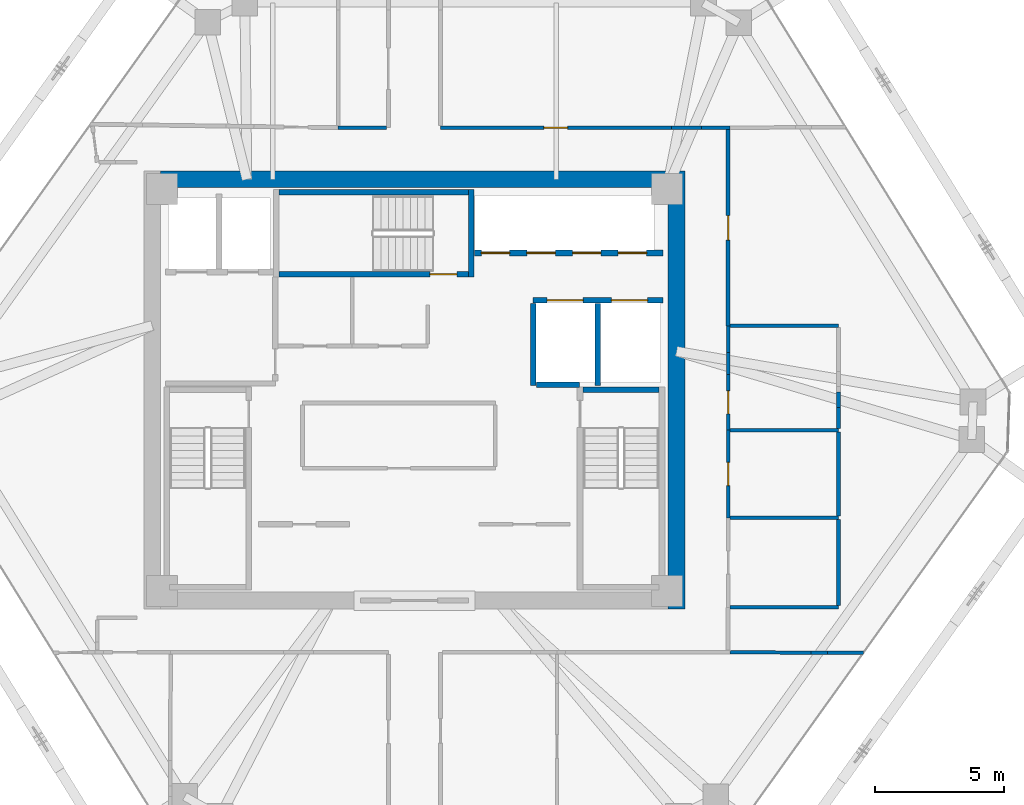
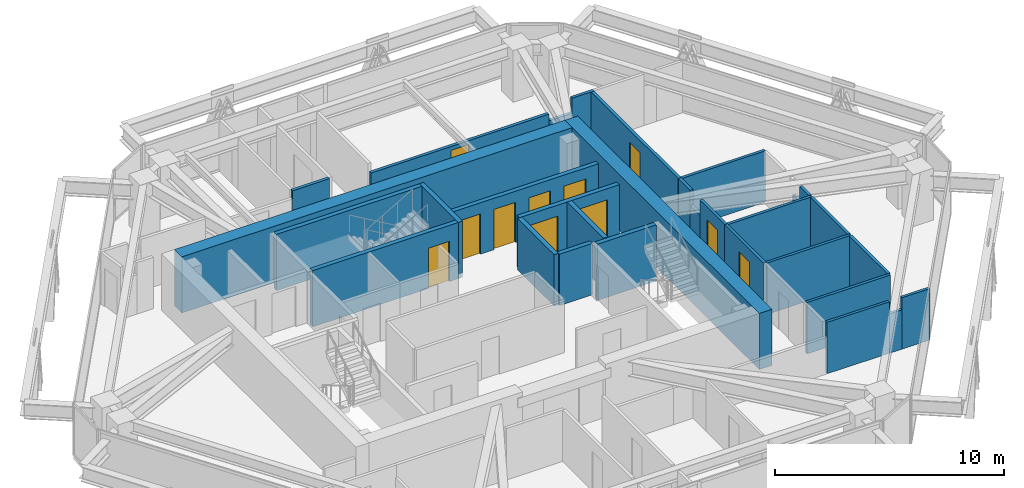
# One storey, part 12 of 14: 31 walls, 11 doors, 11 openings.
"""IFC4 building model written with IfcOpenShell, lengths in metres."""

from ifc_helpers import new_model, si_unit, direction, frame, frame_2d, origin, place, context, subcontext, project, spatial, rectangle, extrude, source, transform, mapped, material, layer, layer_set, type_object, type_shapes, element, fill, save


model = new_model("IFC4")

# Units and contexts
model_context = context("Model", 3, precision=1e-05, world=origin(), true_north=direction((0.0, 1.0)))
body_context = subcontext(model_context, "Body", "Model", "MODEL_VIEW")
ifc_project = project(units=[si_unit("LENGTHUNIT", "METRE"), si_unit("AREAUNIT", "SQUARE_METRE"), si_unit("VOLUMEUNIT", "CUBIC_METRE"), si_unit("PLANEANGLEUNIT", "RADIAN"), si_unit("MASSUNIT", "GRAM", prefix="KILO")], contexts=[model_context])

# Site, building, storey
site_placement = place(None, origin())
site = spatial("IfcSite", under=ifc_project, at=site_placement, CompositionType="ELEMENT")
building_placement = place(site_placement, origin())
building = spatial("IfcBuilding", under=site, at=building_placement, Name="Durnholm Broadcast Tower", CompositionType="ELEMENT")
storey_placement = place(building_placement, frame((0.0, 0.0, 200.199951171875)))
storey = spatial("IfcBuildingStorey", under=building, at=storey_placement, Name="L55", CompositionType="ELEMENT", Elevation=200.199951171875)

# Walls
ifc_material_1 = material(Name="Concrete C70/85", Category="concrete")
ifc_layer_1 = layer(ifc_material_1, 0.64990234375)
ifc_layer_set_1 = layer_set([ifc_layer_1], Name="Concrete C70/85")
wall_type_1 = type_object("IfcWallType", Name="WALL-CW-650", PredefinedType="SHEAR", material=ifc_layer_set_1)
wall_1_placement = place(storey_placement, frame((10.175048828125, -8.5, 0.0), z_axis=(0.0, 0.0, 1.0), x_axis=(0.0, 1.0, 0.0)))
element("IfcWall", 1, at=wall_1_placement, inside=storey, type_object=wall_type_1, Name="L55 central core shear wall CW-EAST", PredefinedType="SHEAR", context=body_context, shape_type="SweptSolid", body=[
    extrude(rectangle(XDim=17.0, YDim=0.64990234375, at=frame_2d((8.5, 0.0))), origin(), (0.0, 0.0, 1.0), 3.0),
])
wall_2_placement = place(storey_placement, frame((-9.85009765625, 8.175048828125, 0.0), z_axis=(0.0, 0.0, 1.0), x_axis=(1.0, 0.0, 0.0)))
element("IfcWall", 2, at=wall_2_placement, inside=storey, type_object=wall_type_1, Name="L55 central core shear wall CW-N", PredefinedType="SHEAR", context=body_context, shape_type="SweptSolid", body=[
    extrude(rectangle(XDim=19.7001953125, YDim=0.64990234375, at=frame_2d((9.85009765625, 0.0))), origin(), (0.0, 0.0, 1.0), 3.0),
])
ifc_material_2 = material(Name="Gypsum Metal Stud Partition", Category="concrete")
ifc_layer_2 = layer(ifc_material_2, 0.135009765625)
ifc_layer_set_2 = layer_set([ifc_layer_2], Name="Gypsum Metal Stud Partition")
wall_type_2 = type_object("IfcWallType", Name="WALL-PART-135", PredefinedType="PARTITIONING", material=ifc_layer_set_2)
wall_3_placement = place(storey_placement, frame((12.260009765625, -10.180419921875, 0.0), z_axis=(0.0, 0.0, 1.0), x_axis=(0.999990120522, -0.004445093728, 0.0)))
element("IfcWall", 3, at=wall_3_placement, inside=storey, type_object=wall_type_2, Name="L55 room dividing partition 15.18", PredefinedType="PARTITIONING", context=body_context, shape_type="SweptSolid", body=[
    extrude(rectangle(XDim=3.130615234375, YDim=0.135009765625, at=frame_2d((1.5654296875, 0.0))), origin(), (0.0, 0.0, 1.0), 2.7451171875),
])
wall_4_placement = place(storey_placement, frame((16.034423828125, -10.197021484375, 0.0), z_axis=(0.0, 0.0, 1.0), x_axis=(0.999989640625, -0.004551773574, 0.0)))
element("IfcWall", 4, at=wall_4_placement, inside=storey, type_object=wall_type_2, Name="L55 room dividing partition 15.18", PredefinedType="PARTITIONING", context=body_context, shape_type="SweptSolid", body=[
    extrude(rectangle(XDim=1.39453125, YDim=0.135009765625, at=frame_2d((0.697265625, 0.0))), origin(), (0.0, 0.0, 1.0), 2.7451171875),
])
wall_5_placement = place(storey_placement, frame((15.390625, -10.1943359375, 0.0), z_axis=(0.0, 0.0, 1.0), x_axis=(0.999991299796, -0.00417137061, 0.0)))
element("IfcWall", 5, at=wall_5_placement, inside=storey, type_object=wall_type_2, Name="L55 room dividing partition 15.18", PredefinedType="PARTITIONING", context=body_context, shape_type="SweptSolid", body=[
    extrude(rectangle(XDim=0.643798828125, YDim=0.135009765625, at=frame_2d((0.32177734375, 0.0))), origin(), (0.0, 0.0, 1.0), 2.098876953125),
])
ifc_material_3 = material(Name="Acoustic Gypsum Stud Partition", Category="concrete")
ifc_layer_3 = layer(ifc_material_3, 0.14990234375)
ifc_layer_set_3 = layer_set([ifc_layer_3], Name="Acoustic Gypsum Stud Partition")
wall_type_3 = type_object("IfcWallType", Name="WALL-PART-150", PredefinedType="PARTITIONING", material=ifc_layer_set_3)
wall_6_placement = place(storey_placement, frame((-1.089111328125, 10.179931640625, 0.0), z_axis=(0.0, 0.0, 1.0), x_axis=(-1.0, 0.0, 0.0)))
element("IfcWall", 6, at=wall_6_placement, inside=storey, type_object=wall_type_3, Name="L55 Investor Briefing Auditorium corridor partition", PredefinedType="PARTITIONING", context=body_context, shape_type="SweptSolid", body=[
    extrude(rectangle(XDim=1.870849609375, YDim=0.14990234375, at=frame_2d((0.935546875, 0.0))), origin(), (0.0, 0.0, 1.0), 2.7451171875),
])
wall_7_placement = place(storey_placement, frame((12.260009765625, 10.179931640625, 0.0), z_axis=(0.0, 0.0, 1.0), x_axis=(-1.0, 0.0, 0.0)))
element("IfcWall", 7, at=wall_7_placement, inside=storey, type_object=wall_type_3, Name="L55 Treasury Dining Room corridor partition", PredefinedType="PARTITIONING", context=body_context, shape_type="SweptSolid", body=[
    extrude(rectangle(XDim=1.1142578125, YDim=0.14990234375, at=frame_2d((0.55712890625, 0.0))), origin(), (0.0, 0.0, 1.0), 2.7451171875),
])

# Wall, opening, door
wall_8_placement = place(storey_placement, frame((9.971435546875, 10.179931640625, 0.0), z_axis=(0.0, 0.0, 1.0), x_axis=(-1.0, 0.0, 0.0)))
wall_8 = element("IfcWall", 8, at=wall_8_placement, inside=storey, type_object=wall_type_3, Name="L55 Treasury Dining Room corridor partition", PredefinedType="PARTITIONING", context=body_context, shape_type="SweptSolid", body=[
    extrude(rectangle(XDim=8.96142578125, YDim=0.14990234375, at=frame_2d((4.480712890625, 0.0))), origin(), (0.0, 0.0, 1.0), 2.308349609375),
])
opening_1_placement = place(wall_8_placement, frame((4.020751953125, 0.0, 0.0)))
opening_1 = element("IfcOpeningElement", 9, at=opening_1_placement, cuts=wall_8, Name="Opening DR-92L", PredefinedType="OPENING", context=body_context, shape_type="SweptSolid", body=[
    extrude(rectangle(XDim=0.919921875, YDim=2.10009765625, at=frame_2d((0.4599609375, 1.050048828125))), frame((0.0, 0.0849609375, 0.0), z_axis=(0.0, -1.0, 0.0), x_axis=(1.0, 0.0, 0.0)), (0.0, 0.0, 1.0), 0.169921875),
])
ifc_material_4 = material(Name="Oak Veneer Office Door", Category="wood")
ifc_layer_4 = layer(ifc_material_4, 0.050048828125)
ifc_layer_set_4 = layer_set([ifc_layer_4], Name="Oak Veneer Office Door")
door_type_1 = type_object("IfcDoorType", Name="DOOR-RM-920L", OperationType="NOTDEFINED", PredefinedType="DOOR", material=ifc_layer_set_4)
shared_shape_1 = source(origin(), body_context, "Body", "SweptSolid", [
    extrude(rectangle(XDim=0.919921875, YDim=2.10009765625, at=frame_2d((0.4599609375, 1.050048828125))), frame((0.0, 0.02490234375, 0.0), z_axis=(0.0, -1.0, 0.0), x_axis=(1.0, 0.0, 0.0)), (0.0, 0.0, 1.0), 0.050048828125),
])
type_shapes(door_type_1, [shared_shape_1])
door_1_placement = place(opening_1_placement, origin())
door_1 = element("IfcDoor", 10, at=door_1_placement, inside=storey, type_object=door_type_1, Name="L55 Treasury Dining Room entrance door", OperationType="SINGLE_SWING_LEFT", OverallHeight=2.10009765625, OverallWidth=0.919921875, PredefinedType="DOOR", context=body_context, shape_type="MappedRepresentation", body=[
    mapped(shared_shape_1, transform((0.0, 0.0, 0.0), x_axis=(1.0, 0.0, 0.0), y_axis=(0.0, 1.0, 0.0), z_axis=(0.0, 0.0, 1.0), scale=1.0)),
])
fill(opening_1, door_1)

# Wall
wall_9_placement = place(storey_placement, frame((11.145751953125, 10.179931640625, 0.0), z_axis=(0.0, 0.0, 1.0), x_axis=(-1.0, 0.0, 0.0)))
element("IfcWall", 11, at=wall_9_placement, inside=storey, type_object=wall_type_3, Name="L55 Treasury Dining Room corridor partition", PredefinedType="PARTITIONING", context=body_context, shape_type="SweptSolid", body=[
    extrude(rectangle(XDim=1.17431640625, YDim=0.14990234375, at=frame_2d((0.587158203125, 0.0))), origin(), (0.0, 0.0, 1.0), 1.94189453125),
])

# Wall, opening, door
wall_10_placement = place(storey_placement, frame((12.179931640625, 2.489990234375, 0.0), z_axis=(0.0, 0.0, 1.0), x_axis=(0.0, 1.0, 0.0)))
wall_10 = element("IfcWall", 12, at=wall_10_placement, inside=storey, type_object=wall_type_3, Name="L55 Catering Kitchen corridor partition", PredefinedType="PARTITIONING", context=body_context, shape_type="SweptSolid", body=[
    extrude(rectangle(XDim=7.611083984375, YDim=0.14990234375, at=frame_2d((3.8056640625, 0.0))), origin(), (0.0, 0.0, 1.0), 2.7451171875),
])
opening_2_placement = place(wall_10_placement, frame((3.33056640625, 0.0, 0.0)))
opening_2 = element("IfcOpeningElement", 13, at=opening_2_placement, cuts=wall_10, Name="Opening DR-95L", PredefinedType="OPENING", context=body_context, shape_type="SweptSolid", body=[
    extrude(rectangle(XDim=0.949951171875, YDim=2.10009765625, at=frame_2d((0.47509765625, 1.050048828125))), frame((0.0, 0.0849609375, 0.0), z_axis=(0.0, -1.0, 0.0), x_axis=(1.0, 0.0, 0.0)), (0.0, 0.0, 1.0), 0.169921875),
])
ifc_material_5 = material(Name="Acoustic Oak Veneer Timber Door", Category="wood")
ifc_layer_5 = layer(ifc_material_5, 0.050048828125)
ifc_layer_set_5 = layer_set([ifc_layer_5], Name="Acoustic Oak Veneer Timber Door")
door_type_2 = type_object("IfcDoorType", Name="DOOR-RM-950L", OperationType="NOTDEFINED", PredefinedType="DOOR", material=ifc_layer_set_5)
shared_shape_2 = source(origin(), body_context, "Body", "SweptSolid", [
    extrude(rectangle(XDim=0.949951171875, YDim=2.10009765625, at=frame_2d((0.47509765625, 1.050048828125))), frame((0.0, 0.02490234375, 0.0), z_axis=(0.0, -1.0, 0.0), x_axis=(1.0, 0.0, 0.0)), (0.0, 0.0, 1.0), 0.050048828125),
])
type_shapes(door_type_2, [shared_shape_2])
door_2_placement = place(opening_2_placement, origin())
door_2 = element("IfcDoor", 14, at=door_2_placement, inside=storey, type_object=door_type_2, Name="L55 Catering Kitchen entrance door", OperationType="SINGLE_SWING_LEFT", OverallHeight=2.10009765625, OverallWidth=0.949951171875, PredefinedType="DOOR", context=body_context, shape_type="MappedRepresentation", body=[
    mapped(shared_shape_2, transform((0.0, 0.0, 0.0), x_axis=(1.0, 0.0, 0.0), y_axis=(0.0, 1.0, 0.0), z_axis=(0.0, 0.0, 1.0), scale=1.0)),
])
fill(opening_2, door_2)

# Wall, openings, doors
ifc_material_6 = material(Name="Concrete Blockwork C30/37", Category="masonry")
ifc_layer_6 = layer(ifc_material_6, 0.219970703125)
ifc_layer_set_6 = layer_set([ifc_layer_6], Name="Concrete Blockwork C30/37")
wall_type_4 = type_object("IfcWallType", Name="WALL-SHAFT-220", PredefinedType="SOLIDWALL", material=ifc_layer_set_6)
wall_11_placement = place(storey_placement, frame((4.60009765625, 3.47998046875, 0.0), z_axis=(0.0, 0.0, 1.0), x_axis=(1.0, 0.0, 0.0)))
wall_11 = element("IfcWall", 15, at=wall_11_placement, inside=storey, type_object=wall_type_4, Name="L55 freight service lifts north front wall", PredefinedType="SOLIDWALL", context=body_context, shape_type="SweptSolid", body=[
    extrude(rectangle(XDim=5.0498046875, YDim=0.219970703125, at=frame_2d((2.52490234375, 0.0))), origin(), (0.0, 0.0, 1.0), 2.7451171875),
])
opening_3_placement = place(wall_11_placement, frame((0.550048828125, 0.0, 0.0)))
opening_3 = element("IfcOpeningElement", 16, at=opening_3_placement, cuts=wall_11, Name="Opening LD-SVL-2", PredefinedType="OPENING", context=body_context, shape_type="SweptSolid", body=[
    extrude(rectangle(XDim=1.39990234375, YDim=2.14990234375, at=frame_2d((0.699951171875, 1.074951171875))), frame((0.0, 0.1201171875, 0.0), z_axis=(0.0, -1.0, 0.0), x_axis=(1.0, 0.0, 0.0)), (0.0, 0.0, 1.0), 0.239990234375),
])
opening_4_placement = place(wall_11_placement, frame((3.050048828125, 0.0, 0.0)))
opening_4 = element("IfcOpeningElement", 17, at=opening_4_placement, cuts=wall_11, Name="Opening LD-SVL-1", PredefinedType="OPENING", context=body_context, shape_type="SweptSolid", body=[
    extrude(rectangle(XDim=1.39990234375, YDim=2.14990234375, at=frame_2d((0.699951171875, 1.074951171875))), frame((0.0, 0.1201171875, 0.0), z_axis=(0.0, -1.0, 0.0), x_axis=(1.0, 0.0, 0.0)), (0.0, 0.0, 1.0), 0.239990234375),
])
ifc_material_7 = material(Name="Freight Elevator Bi-Parting Sliding Landing Door", Category="steel")
ifc_layer_7 = layer(ifc_material_7, 0.050048828125)
ifc_layer_set_7 = layer_set([ifc_layer_7], Name="Freight Elevator Bi-Parting Sliding Landing Door")
door_type_3 = type_object("IfcDoorType", Name="DOOR-LIFT-SVL", OperationType="DOUBLE_DOOR_SLIDING", PredefinedType="DOOR", material=ifc_layer_set_7)
shared_shape_3 = source(origin(), body_context, "Body", "SweptSolid", [
    extrude(rectangle(XDim=1.39990234375, YDim=2.14990234375, at=frame_2d((0.699951171875, 1.074951171875))), frame((0.0, 0.02490234375, 0.0), z_axis=(0.0, -1.0, 0.0), x_axis=(1.0, 0.0, 0.0)), (0.0, 0.0, 1.0), 0.050048828125),
])
type_shapes(door_type_3, [shared_shape_3])
door_3_placement = place(opening_3_placement, origin())
door_3 = element("IfcDoor", 18, at=door_3_placement, inside=storey, type_object=door_type_3, Name="L55 freight service elevator SVL-2 sliding landing door", OperationType="DOUBLE_DOOR_SLIDING", OverallHeight=2.14990234375, OverallWidth=1.39990234375, PredefinedType="DOOR", context=body_context, shape_type="MappedRepresentation", body=[
    mapped(shared_shape_3, transform((0.0, 0.0, 0.0), x_axis=(1.0, 0.0, 0.0), y_axis=(0.0, 1.0, 0.0), z_axis=(0.0, 0.0, 1.0), scale=1.0)),
])
fill(opening_3, door_3)
door_4_placement = place(opening_4_placement, origin())
door_4 = element("IfcDoor", 19, at=door_4_placement, inside=storey, type_object=door_type_3, Name="L55 freight service elevator SVL-1 sliding landing door", OperationType="DOUBLE_DOOR_SLIDING", OverallHeight=2.14990234375, OverallWidth=1.39990234375, PredefinedType="DOOR", context=body_context, shape_type="MappedRepresentation", body=[
    mapped(shared_shape_3, transform((0.0, 0.0, 0.0), x_axis=(1.0, 0.0, 0.0), y_axis=(0.0, 1.0, 0.0), z_axis=(0.0, 0.0, 1.0), scale=1.0)),
])
fill(opening_4, door_4)

# Walls
for number, where, z_axis, x_axis, name in (
    (20, (4.6201171875, 0.179931640625, 0.0), (0.0, 0.0, 1.0), (0.0, 1.0, 0.0), "L55 freight service lift SVL-2 west wall"),
    (21, (7.1201171875, 0.179931640625, 0.0), (0.0, 0.0, 1.0), (0.0, 1.0, 0.0), "L55 freight service lifts divider wall"),
):
    element("IfcWall", number, at=place(storey_placement, frame(where, z_axis=z_axis, x_axis=x_axis)), inside=storey, type_object=wall_type_4, Name=name, PredefinedType="SOLIDWALL", context=body_context, shape_type="SweptSolid", body=[
        extrude(rectangle(XDim=3.18603515625, YDim=0.219970703125, at=frame_2d((1.593017578125, 0.0))), origin(), (0.0, 0.0, 1.0), 2.7451171875),
    ])
wall_12_placement = place(storey_placement, frame((4.73388671875, 0.199951171875, 0.0), z_axis=(0.0, 0.0, 1.0), x_axis=(1.0, 0.0, 0.0)))
element("IfcWall", 22, at=wall_12_placement, inside=storey, type_object=wall_type_4, Name="L55 freight service lift SVL-2 south wall", PredefinedType="SOLIDWALL", context=body_context, shape_type="SweptSolid", body=[
    extrude(rectangle(XDim=1.666015625, YDim=0.219970703125, at=frame_2d((0.8330078125, 0.0))), origin(), (0.0, 0.0, 1.0), 2.7451171875),
])

# Wall, openings, doors
wall_13_placement = place(storey_placement, frame((2.324951171875, 5.320068359375, 0.0), z_axis=(0.0, 0.0, 1.0), x_axis=(1.0, 0.0, 0.0)))
wall_13 = element("IfcWall", 23, at=wall_13_placement, inside=storey, type_object=wall_type_4, Name="L55 high-rise bank P3 south front wall", PredefinedType="SOLIDWALL", context=body_context, shape_type="SweptSolid", body=[
    extrude(rectangle(XDim=7.324951171875, YDim=0.219970703125, at=frame_2d((3.66259765625, 0.0))), origin(), (0.0, 0.0, 1.0), 2.7451171875),
])
opening_5_placement = place(wall_13_placement, frame((0.27490234375, 0.0, 0.0)))
opening_5 = element("IfcOpeningElement", 24, at=opening_5_placement, cuts=wall_13, Name="Opening LD-LP3-1", PredefinedType="OPENING", context=body_context, shape_type="SweptSolid", body=[
    extrude(rectangle(XDim=1.10009765625, YDim=2.14990234375, at=frame_2d((0.550048828125, 1.074951171875))), frame((0.0, 0.1201171875, 0.0), z_axis=(0.0, -1.0, 0.0), x_axis=(1.0, 0.0, 0.0)), (0.0, 0.0, 1.0), 0.239990234375),
])
opening_6_placement = place(wall_13_placement, frame((2.044921875, 0.0, 0.0)))
opening_6 = element("IfcOpeningElement", 25, at=opening_6_placement, cuts=wall_13, Name="Opening LD-LP3-2", PredefinedType="OPENING", context=body_context, shape_type="SweptSolid", body=[
    extrude(rectangle(XDim=1.10009765625, YDim=2.14990234375, at=frame_2d((0.550048828125, 1.074951171875))), frame((0.0, 0.1201171875, 0.0), z_axis=(0.0, -1.0, 0.0), x_axis=(1.0, 0.0, 0.0)), (0.0, 0.0, 1.0), 0.239990234375),
])
opening_7_placement = place(wall_13_placement, frame((3.81494140625, 0.0, 0.0)))
opening_7 = element("IfcOpeningElement", 26, at=opening_7_placement, cuts=wall_13, Name="Opening LD-LP3-3", PredefinedType="OPENING", context=body_context, shape_type="SweptSolid", body=[
    extrude(rectangle(XDim=1.10009765625, YDim=2.14990234375, at=frame_2d((0.550048828125, 1.074951171875))), frame((0.0, 0.1201171875, 0.0), z_axis=(0.0, -1.0, 0.0), x_axis=(1.0, 0.0, 0.0)), (0.0, 0.0, 1.0), 0.239990234375),
])
opening_8_placement = place(wall_13_placement, frame((5.5849609375, 0.0, 0.0)))
opening_8 = element("IfcOpeningElement", 27, at=opening_8_placement, cuts=wall_13, Name="Opening LD-LP3-4", PredefinedType="OPENING", context=body_context, shape_type="SweptSolid", body=[
    extrude(rectangle(XDim=1.10009765625, YDim=2.14990234375, at=frame_2d((0.550048828125, 1.074951171875))), frame((0.0, 0.1201171875, 0.0), z_axis=(0.0, -1.0, 0.0), x_axis=(1.0, 0.0, 0.0)), (0.0, 0.0, 1.0), 0.239990234375),
])
ifc_material_8 = material(Name="Stainless Steel Sliding Elevator Landing Door", Category="steel")
ifc_layer_8 = layer(ifc_material_8, 0.050048828125)
ifc_layer_set_8 = layer_set([ifc_layer_8], Name="Stainless Steel Sliding Elevator Landing Door")
door_type_4 = type_object("IfcDoorType", Name="DOOR-LIFT-PAX", OperationType="DOUBLE_DOOR_SLIDING", PredefinedType="DOOR", material=ifc_layer_set_8)
shared_shape_4 = source(origin(), body_context, "Body", "SweptSolid", [
    extrude(rectangle(XDim=1.10009765625, YDim=2.14990234375, at=frame_2d((0.550048828125, 1.074951171875))), frame((0.0, 0.02490234375, 0.0), z_axis=(0.0, -1.0, 0.0), x_axis=(1.0, 0.0, 0.0)), (0.0, 0.0, 1.0), 0.050048828125),
])
type_shapes(door_type_4, [shared_shape_4])
door_5_placement = place(opening_5_placement, origin())
door_5 = element("IfcDoor", 28, at=door_5_placement, inside=storey, type_object=door_type_4, Name="L55 high-rise elevator LP3-1 sliding landing door", OperationType="DOUBLE_DOOR_SLIDING", OverallHeight=2.14990234375, OverallWidth=1.10009765625, PredefinedType="DOOR", context=body_context, shape_type="MappedRepresentation", body=[
    mapped(shared_shape_4, transform((0.0, 0.0, 0.0), x_axis=(1.0, 0.0, 0.0), y_axis=(0.0, 1.0, 0.0), z_axis=(0.0, 0.0, 1.0), scale=1.0)),
])
fill(opening_5, door_5)
door_6_placement = place(opening_6_placement, origin())
door_6 = element("IfcDoor", 29, at=door_6_placement, inside=storey, type_object=door_type_4, Name="L55 high-rise elevator LP3-2 sliding landing door", OperationType="DOUBLE_DOOR_SLIDING", OverallHeight=2.14990234375, OverallWidth=1.10009765625, PredefinedType="DOOR", context=body_context, shape_type="MappedRepresentation", body=[
    mapped(shared_shape_4, transform((0.0, 0.0, 0.0), x_axis=(1.0, 0.0, 0.0), y_axis=(0.0, 1.0, 0.0), z_axis=(0.0, 0.0, 1.0), scale=1.0)),
])
fill(opening_6, door_6)
door_7_placement = place(opening_7_placement, origin())
door_7 = element("IfcDoor", 30, at=door_7_placement, inside=storey, type_object=door_type_4, Name="L55 high-rise elevator LP3-3 sliding landing door", OperationType="DOUBLE_DOOR_SLIDING", OverallHeight=2.14990234375, OverallWidth=1.10009765625, PredefinedType="DOOR", context=body_context, shape_type="MappedRepresentation", body=[
    mapped(shared_shape_4, transform((0.0, 0.0, 0.0), x_axis=(1.0, 0.0, 0.0), y_axis=(0.0, 1.0, 0.0), z_axis=(0.0, 0.0, 1.0), scale=1.0)),
])
fill(opening_7, door_7)
door_8_placement = place(opening_8_placement, origin())
door_8 = element("IfcDoor", 31, at=door_8_placement, inside=storey, type_object=door_type_4, Name="L55 high-rise elevator LP3-4 sliding landing door", OperationType="DOUBLE_DOOR_SLIDING", OverallHeight=2.14990234375, OverallWidth=1.10009765625, PredefinedType="DOOR", context=body_context, shape_type="MappedRepresentation", body=[
    mapped(shared_shape_4, transform((0.0, 0.0, 0.0), x_axis=(1.0, 0.0, 0.0), y_axis=(0.0, 1.0, 0.0), z_axis=(0.0, 0.0, 1.0), scale=1.0)),
])
fill(opening_8, door_8)

# Walls
ifc_material_9 = material(Name="Concrete C50/60", Category="concrete")
ifc_layer_9 = layer(ifc_material_9, 0.219970703125)
ifc_layer_set_9 = layer_set([ifc_layer_9], Name="Concrete C50/60")
wall_type_5 = type_object("IfcWallType", Name="WALL-SW-220", PredefinedType="SHEAR", material=ifc_layer_set_9)
wall_14_placement = place(storey_placement, frame((9.5, 0.010009765625, -0.239990234375), z_axis=(0.0, 0.0, 1.0), x_axis=(-1.0, 0.0, 0.0)))
element("IfcWall", 32, at=wall_14_placement, inside=storey, type_object=wall_type_5, Name="L55 stair ST-2 structural shaft wall N", PredefinedType="SHEAR", context=body_context, shape_type="SweptSolid", body=[
    extrude(rectangle(XDim=2.9599609375, YDim=0.219970703125, at=frame_2d((1.47998046875, 0.0))), origin(), (0.0, 0.0, 1.0), 3.0),
])
wall_15_placement = place(storey_placement, frame((2.2099609375, 4.3798828125, -0.239990234375), z_axis=(0.0, 0.0, 1.0), x_axis=(0.0, 1.0, 0.0)))
element("IfcWall", 33, at=wall_15_placement, inside=storey, type_object=wall_type_5, Name="L55 stair ST-3 structural shaft wall E", PredefinedType="SHEAR", context=body_context, shape_type="SweptSolid", body=[
    extrude(rectangle(XDim=3.400146484375, YDim=0.219970703125, at=frame_2d((1.7001953125, 0.0))), origin(), (0.0, 0.0, 1.0), 3.0),
])

# Wall, opening, door
wall_16_placement = place(storey_placement, frame((-5.25, 4.489990234375, -0.239990234375), z_axis=(0.0, 0.0, 1.0), x_axis=(1.0, 0.0, 0.0)))
wall_16 = element("IfcWall", 34, at=wall_16_placement, inside=storey, type_object=wall_type_5, Name="L55 stair ST-3 structural shaft wall S", PredefinedType="SHEAR", context=body_context, shape_type="SweptSolid", body=[
    extrude(rectangle(XDim=7.35009765625, YDim=0.219970703125, at=frame_2d((3.675048828125, 0.0))), origin(), (0.0, 0.0, 1.0), 3.0),
])
opening_9_placement = place(wall_16_placement, frame((5.85009765625, 0.0, 0.0)))
opening_9 = element("IfcOpeningElement", 35, at=opening_9_placement, cuts=wall_16, Name="Opening DS-90L", PredefinedType="OPENING", context=body_context, shape_type="SweptSolid", body=[
    extrude(rectangle(XDim=1.050048828125, YDim=2.14990234375, at=frame_2d((0.52490234375, 1.074951171875))), frame((0.0, 0.1201171875, 0.0), z_axis=(0.0, -1.0, 0.0), x_axis=(1.0, 0.0, 0.0)), (0.0, 0.0, 1.0), 0.239990234375),
])
ifc_material_10 = material(Name="Fire-Rated Steel Door", Category="steel")
ifc_layer_10 = layer(ifc_material_10, 0.050048828125)
ifc_layer_set_10 = layer_set([ifc_layer_10], Name="Fire-Rated Steel Door")
door_type_5 = type_object("IfcDoorType", Name="DOOR-ST-FD90-L", OperationType="NOTDEFINED", PredefinedType="DOOR", material=ifc_layer_set_10)
shared_shape_5 = source(origin(), body_context, "Body", "SweptSolid", [
    extrude(rectangle(XDim=1.050048828125, YDim=2.14990234375, at=frame_2d((0.52490234375, 1.074951171875))), frame((0.0, 0.02490234375, 0.0), z_axis=(0.0, -1.0, 0.0), x_axis=(1.0, 0.0, 0.0)), (0.0, 0.0, 1.0), 0.050048828125),
])
type_shapes(door_type_5, [shared_shape_5])
door_9_placement = place(opening_9_placement, origin())
door_9 = element("IfcDoor", 36, at=door_9_placement, inside=storey, type_object=door_type_5, Name="L55 exit stair ST-3 fire door", OperationType="SINGLE_SWING_LEFT", OverallHeight=2.14990234375, OverallWidth=1.050048828125, PredefinedType="DOOR", context=body_context, shape_type="MappedRepresentation", body=[
    mapped(shared_shape_5, transform((0.0, 0.0, 0.0), x_axis=(1.0, 0.0, 0.0), y_axis=(0.0, 1.0, 0.0), z_axis=(0.0, 0.0, 1.0), scale=1.0)),
])
fill(opening_9, door_9)

# Wall
wall_17_placement = place(storey_placement, frame((2.10009765625, 7.669921875, -0.239990234375), z_axis=(0.0, 0.0, 1.0), x_axis=(-1.0, 0.0, 0.0)))
element("IfcWall", 37, at=wall_17_placement, inside=storey, type_object=wall_type_5, Name="L55 stair ST-3 structural shaft wall N", PredefinedType="SHEAR", context=body_context, shape_type="SweptSolid", body=[
    extrude(rectangle(XDim=7.35009765625, YDim=0.219970703125, at=frame_2d((3.675048828125, 0.0))), origin(), (0.0, 0.0, 1.0), 3.0),
])

# Wall, opening, door
ifc_material_11 = material(Name="Moisture-Resistant Tile Partition", Category="concrete")
ifc_layer_11 = layer(ifc_material_11, 0.139892578125)
ifc_layer_set_11 = layer_set([ifc_layer_11], Name="Moisture-Resistant Tile Partition")
wall_type_6 = type_object("IfcWallType", Name="WALL-WC-140", PredefinedType="PARTITIONING", material=ifc_layer_set_11)
wall_18_placement = place(storey_placement, frame((12.179931640625, -4.9599609375, 0.0), z_axis=(0.0, 0.0, 1.0), x_axis=(0.0, 1.0, 0.0)))
wall_18 = element("IfcWall", 38, at=wall_18_placement, inside=storey, type_object=wall_type_6, Name="L55 Women's Restroom corridor partition", PredefinedType="PARTITIONING", context=body_context, shape_type="SweptSolid", body=[
    extrude(rectangle(XDim=3.39990234375, YDim=0.139892578125, at=frame_2d((1.699951171875, 0.0))), origin(), (0.0, 0.0, 1.0), 2.7451171875),
])
opening_10_placement = place(wall_18_placement, frame((1.25, 0.0, 0.0)))
opening_10 = element("IfcOpeningElement", 39, at=opening_10_placement, cuts=wall_18, Name="Opening DW-90L", PredefinedType="OPENING", context=body_context, shape_type="SweptSolid", body=[
    extrude(rectangle(XDim=0.89990234375, YDim=2.050048828125, at=frame_2d((0.449951171875, 1.02490234375))), frame((0.0, 0.080078125, 0.0), z_axis=(0.0, -1.0, 0.0), x_axis=(1.0, 0.0, 0.0)), (0.0, 0.0, 1.0), 0.159912109375),
])
ifc_material_12 = material(Name="Laminate Restroom Door", Category="steel")
ifc_layer_12 = layer(ifc_material_12, 0.050048828125)
ifc_layer_set_12 = layer_set([ifc_layer_12], Name="Laminate Restroom Door")
door_type_6 = type_object("IfcDoorType", Name="DOOR-WC-900L", OperationType="NOTDEFINED", PredefinedType="DOOR", material=ifc_layer_set_12)
shared_shape_6 = source(origin(), body_context, "Body", "SweptSolid", [
    extrude(rectangle(XDim=0.89990234375, YDim=2.050048828125, at=frame_2d((0.449951171875, 1.02490234375))), frame((0.0, 0.02490234375, 0.0), z_axis=(0.0, -1.0, 0.0), x_axis=(1.0, 0.0, 0.0)), (0.0, 0.0, 1.0), 0.050048828125),
])
type_shapes(door_type_6, [shared_shape_6])
door_10_placement = place(opening_10_placement, origin())
door_10 = element("IfcDoor", 40, at=door_10_placement, inside=storey, type_object=door_type_6, Name="L55 Women's Restroom entrance door", OperationType="SINGLE_SWING_LEFT", OverallHeight=2.050048828125, OverallWidth=0.89990234375, PredefinedType="DOOR", context=body_context, shape_type="MappedRepresentation", body=[
    mapped(shared_shape_6, transform((0.0, 0.0, 0.0), x_axis=(1.0, 0.0, 0.0), y_axis=(0.0, 1.0, 0.0), z_axis=(0.0, 0.0, 1.0), scale=1.0)),
])
fill(opening_10, door_10)

wall_19_placement = place(storey_placement, frame((12.179931640625, -1.56005859375, 0.0), z_axis=(0.0, 0.0, 1.0), x_axis=(0.0, 1.0, 0.0)))
wall_19 = element("IfcWall", 41, at=wall_19_placement, inside=storey, type_object=wall_type_6, Name="L55 Accessible Restroom corridor partition", PredefinedType="PARTITIONING", context=body_context, shape_type="SweptSolid", body=[
    extrude(rectangle(XDim=2.158935546875, YDim=0.139892578125, at=frame_2d((1.07958984375, 0.0))), origin(), (0.0, 0.0, 1.0), 2.7451171875),
])
opening_11_placement = place(wall_19_placement, frame((0.62939453125, 0.0, 0.0)))
opening_11 = element("IfcOpeningElement", 42, at=opening_11_placement, cuts=wall_19, Name="Opening DW-90R", PredefinedType="OPENING", context=body_context, shape_type="SweptSolid", body=[
    extrude(rectangle(XDim=0.89990234375, YDim=2.050048828125, at=frame_2d((0.449951171875, 1.02490234375))), frame((0.0, 0.080078125, 0.0), z_axis=(0.0, -1.0, 0.0), x_axis=(1.0, 0.0, 0.0)), (0.0, 0.0, 1.0), 0.159912109375),
])
ifc_layer_13 = layer(ifc_material_12, 0.050048828125)
ifc_layer_set_13 = layer_set([ifc_layer_13], Name="Laminate Restroom Door")
door_type_7 = type_object("IfcDoorType", Name="DOOR-WC-900R", OperationType="NOTDEFINED", PredefinedType="DOOR", material=ifc_layer_set_13)
shared_shape_7 = source(origin(), body_context, "Body", "SweptSolid", [
    extrude(rectangle(XDim=0.89990234375, YDim=2.050048828125, at=frame_2d((0.449951171875, 1.02490234375))), frame((0.0, 0.02490234375, 0.0), z_axis=(0.0, -1.0, 0.0), x_axis=(1.0, 0.0, 0.0)), (0.0, 0.0, 1.0), 0.050048828125),
])
type_shapes(door_type_7, [shared_shape_7])
door_11_placement = place(opening_11_placement, origin())
door_11 = element("IfcDoor", 43, at=door_11_placement, inside=storey, type_object=door_type_7, Name="L55 Accessible Restroom entrance door", OperationType="SINGLE_SWING_RIGHT", OverallHeight=2.050048828125, OverallWidth=0.89990234375, PredefinedType="DOOR", context=body_context, shape_type="MappedRepresentation", body=[
    mapped(shared_shape_7, transform((0.0, 0.0, 0.0), x_axis=(1.0, 0.0, 0.0), y_axis=(0.0, 1.0, 0.0), z_axis=(0.0, 0.0, 1.0), scale=1.0)),
])
fill(opening_11, door_11)

# Walls
wall_20_placement = place(storey_placement, frame((12.179931640625, 1.451904296875, 0.0), z_axis=(0.0, 0.0, 1.0), x_axis=(0.0, 1.0, 0.0)))
element("IfcWall", 44, at=wall_20_placement, inside=storey, type_object=wall_type_6, Name="L55 Accessible Restroom corridor partition", PredefinedType="PARTITIONING", context=body_context, shape_type="SweptSolid", body=[
    extrude(rectangle(XDim=1.0380859375, YDim=0.139892578125, at=frame_2d((0.51904296875, 0.0))), origin(), (0.0, 0.0, 1.0), 2.7451171875),
])
wall_21_placement = place(storey_placement, frame((12.179931640625, 0.598876953125, 0.0), z_axis=(0.0, 0.0, 1.0), x_axis=(0.0, 1.0, 0.0)))
element("IfcWall", 45, at=wall_21_placement, inside=storey, type_object=wall_type_6, Name="L55 Accessible Restroom corridor partition", PredefinedType="PARTITIONING", context=body_context, shape_type="SweptSolid", body=[
    extrude(rectangle(XDim=0.85302734375, YDim=0.139892578125, at=frame_2d((0.426513671875, 0.0))), origin(), (0.0, 0.0, 1.0), 1.94189453125),
])
wall_22_placement = place(storey_placement, frame((12.25390625, -4.9599609375, 0.0), z_axis=(0.0, 0.0, 1.0), x_axis=(1.0, 0.0, 0.0)))
element("IfcWall", 46, at=wall_22_placement, inside=storey, type_object=wall_type_6, Name="L55 room dividing partition 6.7", PredefinedType="PARTITIONING", context=body_context, shape_type="SweptSolid", body=[
    extrude(rectangle(XDim=4.2060546875, YDim=0.139892578125, at=frame_2d((2.10302734375, 0.0))), origin(), (0.0, 0.0, 1.0), 2.7451171875),
])
wall_23_placement = place(storey_placement, frame((16.4599609375, -8.43994140625, 0.0), z_axis=(0.0, 0.0, 1.0), x_axis=(-1.0, 0.0, 0.0)))
element("IfcWall", 47, at=wall_23_placement, inside=storey, type_object=wall_type_6, Name="L55 room dividing partition 6.18", PredefinedType="PARTITIONING", context=body_context, shape_type="SweptSolid", body=[
    extrude(rectangle(XDim=4.200927734375, YDim=0.139892578125, at=frame_2d((2.1005859375, 0.0))), origin(), (0.0, 0.0, 1.0), 2.7451171875),
])
wall_24_placement = place(storey_placement, frame((16.4599609375, -5.033935546875, 0.0), z_axis=(0.0, 0.0, 1.0), x_axis=(0.0, -1.0, 0.0)))
element("IfcWall", 48, at=wall_24_placement, inside=storey, type_object=wall_type_6, Name="L55 room dividing partition 6.18", PredefinedType="PARTITIONING", context=body_context, shape_type="SweptSolid", body=[
    extrude(rectangle(XDim=3.33203125, YDim=0.139892578125, at=frame_2d((1.666015625, 0.0))), origin(), (0.0, 0.0, 1.0), 2.7451171875),
])
wall_25_placement = place(storey_placement, frame((12.25390625, -1.56005859375, 0.0), z_axis=(0.0, 0.0, 1.0), x_axis=(1.0, 0.0, 0.0)))
element("IfcWall", 49, at=wall_25_placement, inside=storey, type_object=wall_type_6, Name="L55 room dividing partition 7.8", PredefinedType="PARTITIONING", context=body_context, shape_type="SweptSolid", body=[
    extrude(rectangle(XDim=4.2060546875, YDim=0.139892578125, at=frame_2d((2.10302734375, 0.0))), origin(), (0.0, 0.0, 1.0), 2.7451171875),
])
wall_26_placement = place(storey_placement, frame((16.4599609375, -1.634033203125, 0.0), z_axis=(0.0, 0.0, 1.0), x_axis=(0.0, -1.0, 0.0)))
element("IfcWall", 50, at=wall_26_placement, inside=storey, type_object=wall_type_6, Name="L55 room dividing partition 7.18", PredefinedType="PARTITIONING", context=body_context, shape_type="SweptSolid", body=[
    extrude(rectangle(XDim=3.251953125, YDim=0.139892578125, at=frame_2d((1.6259765625, 0.0))), origin(), (0.0, 0.0, 1.0), 2.7451171875),
])
wall_27_placement = place(storey_placement, frame((12.259033203125, 2.489990234375, 0.0), z_axis=(0.0, 0.0, 1.0), x_axis=(1.0, 0.0, 0.0)))
element("IfcWall", 51, at=wall_27_placement, inside=storey, type_object=wall_type_6, Name="L55 room dividing partition 8.18", PredefinedType="PARTITIONING", context=body_context, shape_type="SweptSolid", body=[
    extrude(rectangle(XDim=4.200927734375, YDim=0.139892578125, at=frame_2d((2.1005859375, 0.0))), origin(), (0.0, 0.0, 1.0), 2.7451171875),
])
wall_28_placement = place(storey_placement, frame((16.4599609375, -0.677978515625, 0.0), z_axis=(0.0, 0.0, 1.0), x_axis=(0.0, -1.0, 0.0)))
element("IfcWall", 52, at=wall_28_placement, inside=storey, type_object=wall_type_6, Name="L55 room dividing partition 8.18", PredefinedType="PARTITIONING", context=body_context, shape_type="SweptSolid", body=[
    extrude(rectangle(XDim=0.80810546875, YDim=0.139892578125, at=frame_2d((0.404052734375, 0.0))), origin(), (0.0, 0.0, 1.0), 2.7451171875),
])
wall_29_placement = place(storey_placement, frame((16.4599609375, -0.072021484375, 0.0), z_axis=(0.0, 0.0, 1.0), x_axis=(0.0, -1.0, 0.0)))
element("IfcWall", 53, at=wall_29_placement, inside=storey, type_object=wall_type_6, Name="L55 room dividing partition 8.18", PredefinedType="PARTITIONING", context=body_context, shape_type="SweptSolid", body=[
    extrude(rectangle(XDim=0.60595703125, YDim=0.139892578125, at=frame_2d((0.302978515625, 0.0))), origin(), (0.0, 0.0, 1.0), 1.94189453125),
])

save(model, "model.ifc")
